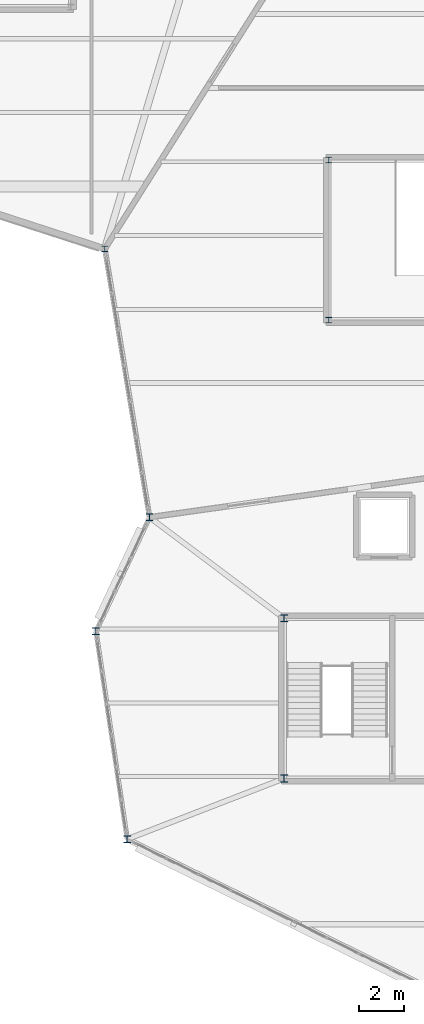
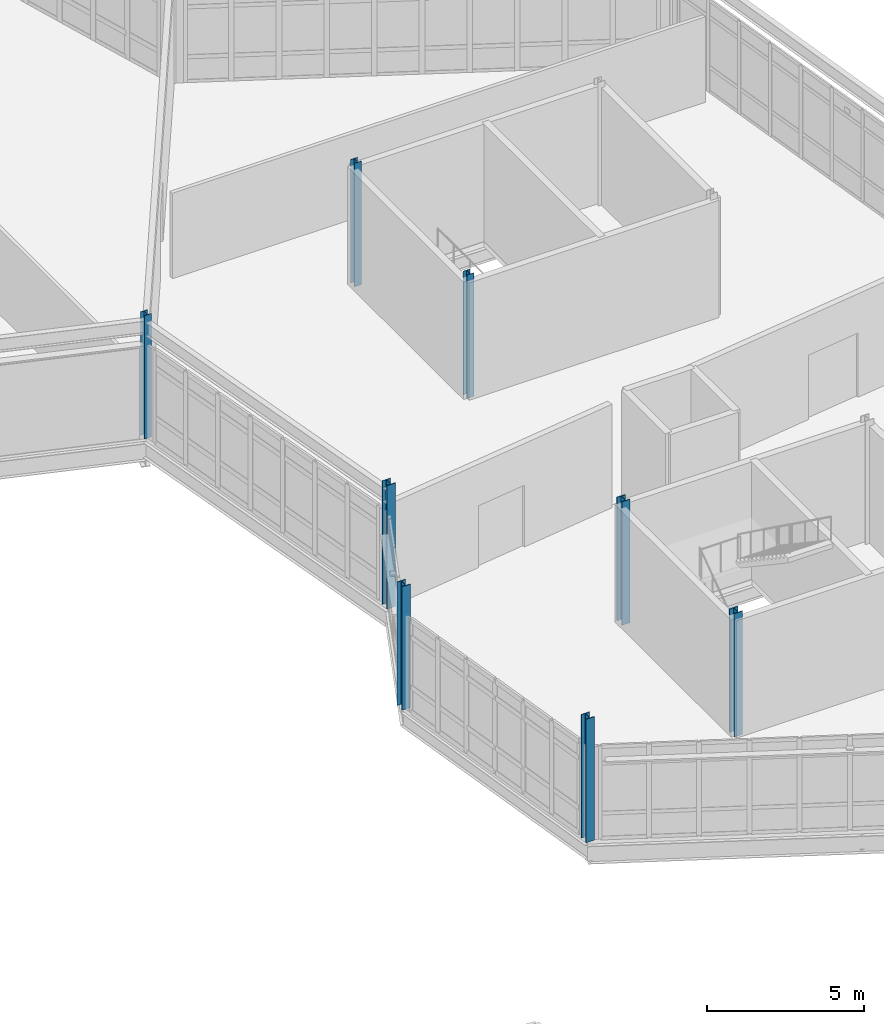
# One storey, part 1 of 76: 8 columns.
"""IFC4 building model written with IfcOpenShell, lengths in metres."""

from ifc_helpers import new_model, si_unit, direction, frame, origin, origin_2d, place, context, subcontext, project, spatial, i_section, extrude, material, material_profile, profile_set, type_object, element, save


model = new_model("IFC4")

# Units and contexts
model_context = context("Model", 3, precision=1e-05, world=origin(), true_north=direction((0.0, 1.0)))
body_context = subcontext(model_context, "Body", "Model", "MODEL_VIEW")
ifc_project = project(units=[si_unit("LENGTHUNIT", "METRE"), si_unit("AREAUNIT", "SQUARE_METRE"), si_unit("VOLUMEUNIT", "CUBIC_METRE"), si_unit("PLANEANGLEUNIT", "RADIAN"), si_unit("MASSUNIT", "GRAM", prefix="KILO")], contexts=[model_context])

# Site, building, storey
site_placement = place(None, origin())
site = spatial("IfcSite", under=ifc_project, at=site_placement, CompositionType="ELEMENT")
building_placement = place(site_placement, origin())
building = spatial("IfcBuilding", under=site, at=building_placement, Name="Tameran Prism Museum", CompositionType="ELEMENT")
storey_placement = place(building_placement, frame((0.0, 0.0, 15.0)))
storey = spatial("IfcBuildingStorey", under=building, at=storey_placement, Name="L03", CompositionType="ELEMENT", Elevation=15.0)

# Columns
ifc_material_1 = material(Name="Steel Grade 300PLUS (300 MPa)", Category="steel")
ifc_material_profile_1 = material_profile(ifc_material_1, i_section(OverallWidth=0.25390625, OverallDepth=0.25390625, WebThickness=0.008544921875, FlangeThickness=0.01416015625, FilletRadius=0.0126953125, at=origin_2d()))
ifc_profile_set_1 = profile_set([ifc_material_profile_1])
column_type_1 = type_object("IfcColumnType", Name="COL-UC250B", PredefinedType="COLUMN", material=ifc_profile_set_1)
for number, where, z_axis, x_axis, name in (
    (1, (50.0, 56.60009765625, 0.0), (0.0, 0.0, 1.0), (1.0, 0.0, 0.0), "Column CV-26 L03"),
    (2, (60.02001953125, 53.419921875, 0.0), (0.0, 0.0, 1.0), (1.0, 0.0, 0.0), "Column CC-8-1 L03"),
    (3, (60.02001953125, 60.580078125, 0.0), (0.0, 0.0, 1.0), (1.0, 0.0, 0.0), "Column CC-8-4 L03"),
):
    element("IfcColumn", number, at=place(storey_placement, frame(where, z_axis=z_axis, x_axis=x_axis)), inside=storey, type_object=column_type_1, Name=name, PredefinedType="COLUMN", context=body_context, shape_type="SweptSolid", body=[
        extrude(i_section(OverallWidth=0.25390625, OverallDepth=0.25390625, WebThickness=0.008544921875, FlangeThickness=0.01416015625, FilletRadius=0.0126953125, at=origin_2d()), origin(), (0.0, 0.0, 1.0), 4.800048828125),
    ])
ifc_material_2 = material(Name="Steel Grade 350 (350 MPa)", Category="steel")
ifc_material_profile_2 = material_profile(ifc_material_2, i_section(OverallWidth=0.30908203125, OverallDepth=0.321044921875, WebThickness=0.013916015625, FlangeThickness=0.021728515625, FilletRadius=0.0166015625, at=origin_2d()))
ifc_profile_set_2 = profile_set([ifc_material_profile_2])
column_type_2 = type_object("IfcColumnType", Name="COL-UC310B", PredefinedType="COLUMN", material=ifc_profile_set_2)
for number, where, z_axis, x_axis, name in (
    (4, (49.60009765625, 39.5, 0.0), (0.0, 0.0, 1.0), (1.0, 0.0, 0.0), "Column CV-25 L03"),
    (5, (51.0, 30.199951171875, 0.0), (0.0, 0.0, 1.0), (1.0, 0.0, 0.0), "Column CV-27 L03"),
    (6, (52.0, 44.60009765625, 0.0), (0.0, 0.0, 1.0), (1.0, 0.0, 0.0), "Column CV-28 L03"),
    (7, (58.02001953125, 32.919921875, 0.0), (0.0, 0.0, 1.0), (1.0, 0.0, 0.0), "Column CC-3-1 L03"),
    (8, (58.02001953125, 40.080078125, 0.0), (0.0, 0.0, 1.0), (1.0, 0.0, 0.0), "Column CC-3-4 L03"),
):
    element("IfcColumn", number, at=place(storey_placement, frame(where, z_axis=z_axis, x_axis=x_axis)), inside=storey, type_object=column_type_2, Name=name, PredefinedType="COLUMN", context=body_context, shape_type="SweptSolid", body=[
        extrude(i_section(OverallWidth=0.30908203125, OverallDepth=0.321044921875, WebThickness=0.013916015625, FlangeThickness=0.021728515625, FilletRadius=0.0166015625, at=origin_2d()), origin(), (0.0, 0.0, 1.0), 4.800048828125),
    ])

save(model, "model.ifc")
